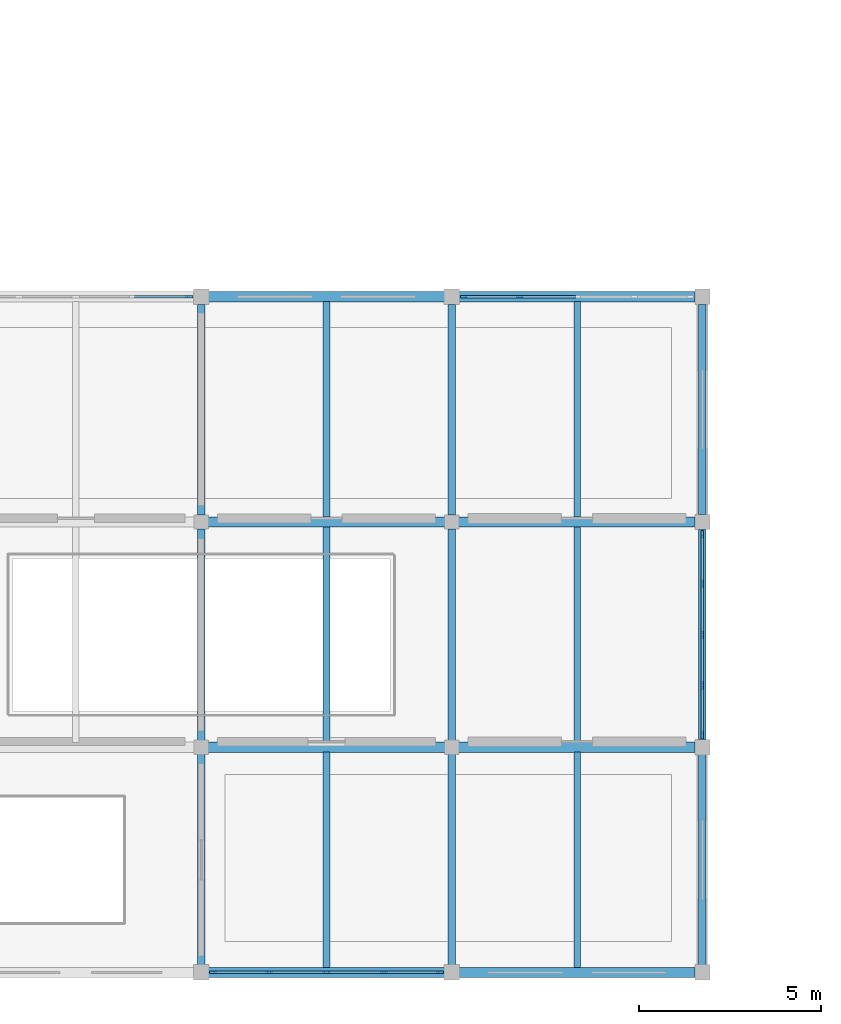
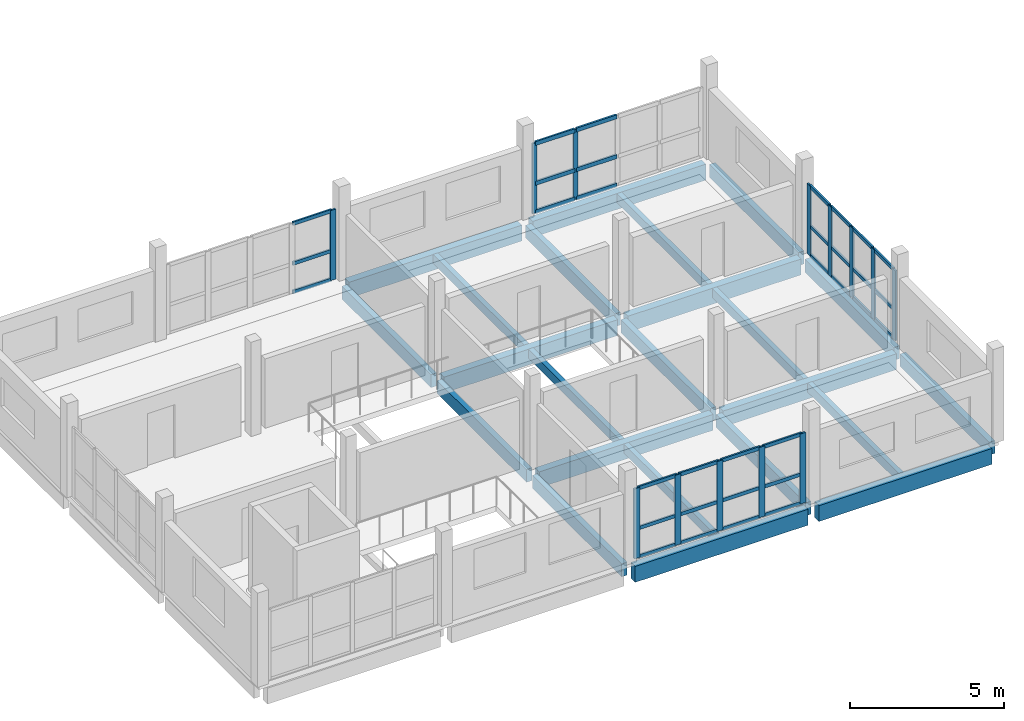
# One storey, part 38 of 77: 46 members, 23 beams, 4 elements without a shape of their own.
"""IFC4 building model written with IfcOpenShell, lengths in metres."""

from ifc_helpers import new_model, si_unit, direction, frame, origin, origin_2d, place, context, subcontext, project, spatial, rectangle, extrude, material, layer, layer_set, material_profile, profile_set, type_object, element, aggregate, save


model = new_model("IFC4")

# Units and contexts
model_context = context("Model", 3, precision=1e-05, world=origin(), true_north=direction((0.0, 1.0)))
body_context = subcontext(model_context, "Body", "Model", "MODEL_VIEW")
ifc_project = project(units=[si_unit("LENGTHUNIT", "METRE"), si_unit("AREAUNIT", "SQUARE_METRE"), si_unit("VOLUMEUNIT", "CUBIC_METRE"), si_unit("PLANEANGLEUNIT", "RADIAN"), si_unit("MASSUNIT", "GRAM", prefix="KILO")], contexts=[model_context])

# Site, building, storey
site_placement = place(None, origin())
site = spatial("IfcSite", under=ifc_project, at=site_placement, CompositionType="ELEMENT")
building_placement = place(site_placement, origin())
building = spatial("IfcBuilding", under=site, at=building_placement, Name="Caldaven Crescent School", CompositionType="ELEMENT")
storey_placement = place(building_placement, frame((0.0, 0.0, 4.419921875)))
storey = spatial("IfcBuildingStorey", under=building, at=storey_placement, Name="L01", CompositionType="ELEMENT", Elevation=4.419921875)

# Beams
ifc_material_1 = material(Name="Glulam MLE24h (GL28h)", Category="wood")
ifc_material_profile_1 = material_profile(ifc_material_1, rectangle(XDim=0.2099609375, YDim=0.510009765625, at=origin_2d()), Name="MLE 210x510")
ifc_profile_set_1 = profile_set([ifc_material_profile_1], Name="Glulam MLE24h (GL28h)")
beam_type_1 = type_object("IfcBeamType", Name="BM-GL51", PredefinedType="BEAM", material=ifc_profile_set_1)
beam_1_placement = place(storey_placement, frame((136.699951171875, 4.405029296875, -0.474853515625), z_axis=(0.0, 1.0, 0.0), x_axis=(-1.0, 0.0, 0.0)))
element("IfcBeam", 1, at=beam_1_placement, inside=storey, type_object=beam_type_1, Name="BMY-V3-L01-0485", PredefinedType="BEAM", context=body_context, shape_type="SweptSolid", body=[
    extrude(rectangle(XDim=0.2099609375, YDim=0.510009765625, at=origin_2d()), origin(), (0.0, 0.0, 1.0), 5.804931640625),
])
beam_2_placement = place(storey_placement, frame((136.699951171875, 10.590087890625, -0.474853515625), z_axis=(0.0, 1.0, 0.0), x_axis=(-1.0, 0.0, 0.0)))
element("IfcBeam", 2, at=beam_2_placement, inside=storey, type_object=beam_type_1, Name="BMY-V3-L01-0486", PredefinedType="BEAM", context=body_context, shape_type="SweptSolid", body=[
    extrude(rectangle(XDim=0.2099609375, YDim=0.510009765625, at=origin_2d()), origin(), (0.0, 0.0, 1.0), 5.81982421875),
])
for number, where, z_axis, x_axis, name in (
    (3, (136.699951171875, 16.7900390625, -0.474853515625), (0.0, 1.0, 0.0), (-1.0, 0.0, 0.0), "BMY-V3-L01-0487"),
    (4, (143.60009765625, 4.405029296875, -0.474853515625), (0.0, 1.0, 0.0), (-1.0, 0.0, 0.0), "BMY-V3-L01-0488"),
):
    element("IfcBeam", number, at=place(storey_placement, frame(where, z_axis=z_axis, x_axis=x_axis)), inside=storey, type_object=beam_type_1, Name=name, PredefinedType="BEAM", context=body_context, shape_type="SweptSolid", body=[
        extrude(rectangle(XDim=0.2099609375, YDim=0.510009765625, at=origin_2d()), origin(), (0.0, 0.0, 1.0), 5.804931640625),
    ])
beam_3_placement = place(storey_placement, frame((143.60009765625, 10.590087890625, -0.474853515625), z_axis=(0.0, 1.0, 0.0), x_axis=(-1.0, 0.0, 0.0)))
element("IfcBeam", 5, at=beam_3_placement, inside=storey, type_object=beam_type_1, Name="BMY-V3-L01-0489", PredefinedType="BEAM", context=body_context, shape_type="SweptSolid", body=[
    extrude(rectangle(XDim=0.2099609375, YDim=0.510009765625, at=origin_2d()), origin(), (0.0, 0.0, 1.0), 5.81982421875),
])
beam_4_placement = place(storey_placement, frame((143.60009765625, 16.7900390625, -0.474853515625), z_axis=(0.0, 1.0, 0.0), x_axis=(-1.0, 0.0, 0.0)))
element("IfcBeam", 6, at=beam_4_placement, inside=storey, type_object=beam_type_1, Name="BMY-V3-L01-0490", PredefinedType="BEAM", context=body_context, shape_type="SweptSolid", body=[
    extrude(rectangle(XDim=0.2099609375, YDim=0.510009765625, at=origin_2d()), origin(), (0.0, 0.0, 1.0), 5.804931640625),
])
for number, where, z_axis, x_axis, name in (
    (7, (150.5, 4.405029296875, -0.474853515625), (0.0, 1.0, 0.0), (-1.0, 0.0, 0.0), "BMY-V3-L01-0491"),
    (8, (150.5, 10.60498046875, -0.474853515625), (0.0, 1.0, 0.0), (-1.0, 0.0, 0.0), "BMY-V3-L01-0492"),
    (9, (150.5, 16.804931640625, -0.474853515625), (0.0, 1.0, 0.0), (-1.0, 0.0, 0.0), "BMY-V3-L01-0493"),
):
    element("IfcBeam", number, at=place(storey_placement, frame(where, z_axis=z_axis, x_axis=x_axis)), inside=storey, type_object=beam_type_1, Name=name, PredefinedType="BEAM", context=body_context, shape_type="SweptSolid", body=[
        extrude(rectangle(XDim=0.2099609375, YDim=0.510009765625, at=origin_2d()), origin(), (0.0, 0.0, 1.0), 5.7900390625),
    ])
ifc_material_profile_2 = material_profile(ifc_material_1, rectangle(XDim=0.280029296875, YDim=0.6298828125, at=origin_2d()), Name="MLE 280x630")
ifc_profile_set_2 = profile_set([ifc_material_profile_2], Name="Glulam MLE24h (GL28h)")
beam_type_2 = type_object("IfcBeamType", Name="BM-GL63", PredefinedType="BEAM", material=ifc_profile_set_2)
for number, where, z_axis, x_axis, name in (
    (10, (136.905029296875, 4.199951171875, -0.534912109375), (1.0, 0.0, 0.0), (0.0, 1.0, 0.0), "BMX-V3-L01-0465"),
    (11, (143.804931640625, 4.199951171875, -0.534912109375), (1.0, 0.0, 0.0), (0.0, 1.0, 0.0), "BMX-V3-L01-0466"),
):
    element("IfcBeam", number, at=place(storey_placement, frame(where, z_axis=z_axis, x_axis=x_axis)), inside=storey, type_object=beam_type_2, Name=name, PredefinedType="BEAM", context=body_context, shape_type="SweptSolid", body=[
        extrude(rectangle(XDim=0.280029296875, YDim=0.6298828125, at=origin_2d()), origin(), (0.0, 0.0, 1.0), 6.489990234375),
    ])
beam_5_placement = place(storey_placement, frame((136.889892578125, 10.39990234375, -0.534912109375), z_axis=(1.0, 0.0, 0.0), x_axis=(0.0, 1.0, 0.0)))
element("IfcBeam", 12, at=beam_5_placement, inside=storey, type_object=beam_type_2, Name="BMX-V3-L01-0469", PredefinedType="BEAM", context=body_context, shape_type="SweptSolid", body=[
    extrude(rectangle(XDim=0.280029296875, YDim=0.6298828125, at=origin_2d()), origin(), (0.0, 0.0, 1.0), 6.52001953125),
])
beam_6_placement = place(storey_placement, frame((143.7900390625, 10.39990234375, -0.534912109375), z_axis=(1.0, 0.0, 0.0), x_axis=(0.0, 1.0, 0.0)))
element("IfcBeam", 13, at=beam_6_placement, inside=storey, type_object=beam_type_2, Name="BMX-V3-L01-0470", PredefinedType="BEAM", context=body_context, shape_type="SweptSolid", body=[
    extrude(rectangle(XDim=0.280029296875, YDim=0.6298828125, at=origin_2d()), origin(), (0.0, 0.0, 1.0), 6.5048828125),
])
beam_7_placement = place(storey_placement, frame((136.889892578125, 16.60009765625, -0.534912109375), z_axis=(1.0, 0.0, 0.0), x_axis=(0.0, 1.0, 0.0)))
element("IfcBeam", 14, at=beam_7_placement, inside=storey, type_object=beam_type_2, Name="BMX-V3-L01-0473", PredefinedType="BEAM", context=body_context, shape_type="SweptSolid", body=[
    extrude(rectangle(XDim=0.280029296875, YDim=0.6298828125, at=origin_2d()), origin(), (0.0, 0.0, 1.0), 6.52001953125),
])
beam_8_placement = place(storey_placement, frame((143.7900390625, 16.60009765625, -0.534912109375), z_axis=(1.0, 0.0, 0.0), x_axis=(0.0, 1.0, 0.0)))
element("IfcBeam", 15, at=beam_8_placement, inside=storey, type_object=beam_type_2, Name="BMX-V3-L01-0474", PredefinedType="BEAM", context=body_context, shape_type="SweptSolid", body=[
    extrude(rectangle(XDim=0.280029296875, YDim=0.6298828125, at=origin_2d()), origin(), (0.0, 0.0, 1.0), 6.5048828125),
])
for number, where, z_axis, x_axis, name in (
    (16, (136.905029296875, 22.800048828125, -0.534912109375), (1.0, 0.0, 0.0), (0.0, 1.0, 0.0), "BMX-V3-L01-0477"),
    (17, (143.804931640625, 22.800048828125, -0.534912109375), (1.0, 0.0, 0.0), (0.0, 1.0, 0.0), "BMX-V3-L01-0478"),
):
    element("IfcBeam", number, at=place(storey_placement, frame(where, z_axis=z_axis, x_axis=x_axis)), inside=storey, type_object=beam_type_2, Name=name, PredefinedType="BEAM", context=body_context, shape_type="SweptSolid", body=[
        extrude(rectangle(XDim=0.280029296875, YDim=0.6298828125, at=origin_2d()), origin(), (0.0, 0.0, 1.0), 6.489990234375),
    ])

# Curtain wall, members
ifc_material_2 = material(Name="Anodised aluminium AA 6063-T6 and low-E double glazing", Category="aluminium")
ifc_layer_1 = layer(ifc_material_2, 0.169921875)
ifc_layer_set_1 = layer_set([ifc_layer_1], Name="Anodised aluminium AA 6063-T6 and low-E double glazing")
curtain_wall_type_1 = type_object("IfcCurtainWallType", Name="CW-SYS1", PredefinedType="NOTDEFINED", material=ifc_layer_set_1)
curtain_wall_1_placement = place(storey_placement, origin())
curtain_wall_1 = element("IfcCurtainWall", 18, at=curtain_wall_1_placement, inside=storey, type_object=curtain_wall_type_1, Name="CW-L01-087", PredefinedType="NOTDEFINED")
ifc_material_3 = material(Name="Anodised aluminium AA 6063-T6", Category="aluminium")
ifc_material_profile_3 = material_profile(ifc_material_3, rectangle(XDim=0.06494140625, YDim=0.179931640625, at=origin_2d()), Name="CWM 65x180")
ifc_profile_set_3 = profile_set([ifc_material_profile_3], Name="Anodised aluminium AA 6063-T6")
member_type_1 = type_object("IfcMemberType", Name="CWM-T2", PredefinedType="MULLION", material=ifc_profile_set_3)
member_1_placement = place(storey_placement, frame((143.9326171875, 22.800048828125, 0.0), z_axis=(0.0, 0.0, 1.0), x_axis=(0.0, 1.0, 0.0)))
member_1 = element("IfcMember", 19, at=member_1_placement, type_object=member_type_1, Name="CW1 mullion 1", PredefinedType="MULLION", context=body_context, shape_type="SweptSolid", body=[
    extrude(rectangle(XDim=0.06494140625, YDim=0.179931640625, at=origin_2d()), origin(), (0.0, 0.0, 1.0), 2.780029296875),
])
member_2_placement = place(storey_placement, frame((145.47509765625, 22.800048828125, 0.0), z_axis=(0.0, 0.0, 1.0), x_axis=(0.0, 1.0, 0.0)))
member_2 = element("IfcMember", 20, at=member_2_placement, type_object=member_type_1, Name="CW1 mullion 2", PredefinedType="MULLION", context=body_context, shape_type="SweptSolid", body=[
    extrude(rectangle(XDim=0.06494140625, YDim=0.179931640625, at=origin_2d()), origin(), (0.0, 0.0, 1.0), 2.780029296875),
])

ifc_layer_2 = layer(ifc_material_2, 0.2099609375)
ifc_layer_set_2 = layer_set([ifc_layer_2], Name="Anodised aluminium AA 6063-T6 and low-E double glazing")
curtain_wall_type_2 = type_object("IfcCurtainWallType", Name="CW-SYS3", PredefinedType="NOTDEFINED", material=ifc_layer_set_2)
curtain_wall_2_placement = place(storey_placement, origin())
curtain_wall_2 = element("IfcCurtainWall", 21, at=curtain_wall_2_placement, inside=storey, type_object=curtain_wall_type_2, Name="CW-L01-085", PredefinedType="NOTDEFINED")
ifc_material_profile_4 = material_profile(ifc_material_3, rectangle(XDim=0.070068359375, YDim=0.2099609375, at=origin_2d()), Name="CWM 70x210")
ifc_profile_set_4 = profile_set([ifc_material_profile_4], Name="Anodised aluminium AA 6063-T6")
member_type_2 = type_object("IfcMemberType", Name="CWM-T3", PredefinedType="MULLION", material=ifc_profile_set_4)
member_3_placement = place(storey_placement, frame((137.034912109375, 4.199951171875, 0.0), z_axis=(0.0, 0.0, 1.0), x_axis=(0.0, 1.0, 0.0)))
member_3 = element("IfcMember", 22, at=member_3_placement, type_object=member_type_2, Name="CW3 mullion 1", PredefinedType="MULLION", context=body_context, shape_type="SweptSolid", body=[
    extrude(rectangle(XDim=0.070068359375, YDim=0.2099609375, at=origin_2d()), origin(), (0.0, 0.0, 1.0), 2.780029296875),
])
member_4_placement = place(storey_placement, frame((138.574951171875, 4.199951171875, 0.0), z_axis=(0.0, 0.0, 1.0), x_axis=(0.0, 1.0, 0.0)))
member_4 = element("IfcMember", 23, at=member_4_placement, type_object=member_type_2, Name="CW3 mullion 2", PredefinedType="MULLION", context=body_context, shape_type="SweptSolid", body=[
    extrude(rectangle(XDim=0.070068359375, YDim=0.2099609375, at=origin_2d()), origin(), (0.0, 0.0, 1.0), 2.780029296875),
])
member_5_placement = place(storey_placement, frame((140.14990234375, 4.199951171875, 0.0), z_axis=(0.0, 0.0, 1.0), x_axis=(0.0, 1.0, 0.0)))
member_5 = element("IfcMember", 24, at=member_5_placement, type_object=member_type_2, Name="CW3 mullion 3", PredefinedType="MULLION", context=body_context, shape_type="SweptSolid", body=[
    extrude(rectangle(XDim=0.070068359375, YDim=0.2099609375, at=origin_2d()), origin(), (0.0, 0.0, 1.0), 2.780029296875),
])
member_6_placement = place(storey_placement, frame((141.72509765625, 4.199951171875, 0.0), z_axis=(0.0, 0.0, 1.0), x_axis=(0.0, 1.0, 0.0)))
member_6 = element("IfcMember", 25, at=member_6_placement, type_object=member_type_2, Name="CW3 mullion 4", PredefinedType="MULLION", context=body_context, shape_type="SweptSolid", body=[
    extrude(rectangle(XDim=0.070068359375, YDim=0.2099609375, at=origin_2d()), origin(), (0.0, 0.0, 1.0), 2.780029296875),
])
member_7_placement = place(storey_placement, frame((143.264892578125, 4.199951171875, 0.0), z_axis=(0.0, 0.0, 1.0), x_axis=(0.0, 1.0, 0.0)))
member_7 = element("IfcMember", 26, at=member_7_placement, type_object=member_type_2, Name="CW3 mullion 5", PredefinedType="MULLION", context=body_context, shape_type="SweptSolid", body=[
    extrude(rectangle(XDim=0.070068359375, YDim=0.2099609375, at=origin_2d()), origin(), (0.0, 0.0, 1.0), 2.780029296875),
])

# Curtain wall, member
curtain_wall_3_placement = place(storey_placement, origin())
curtain_wall_3 = element("IfcCurtainWall", 27, at=curtain_wall_3_placement, inside=storey, type_object=curtain_wall_type_2, Name="CW-L01-086", PredefinedType="NOTDEFINED")
member_8_placement = place(storey_placement, frame((136.364990234375, 22.800048828125, 0.0), z_axis=(0.0, 0.0, 1.0), x_axis=(0.0, 1.0, 0.0)))
member_8 = element("IfcMember", 28, at=member_8_placement, type_object=member_type_2, Name="CW3 mullion 5", PredefinedType="MULLION", context=body_context, shape_type="SweptSolid", body=[
    extrude(rectangle(XDim=0.070068359375, YDim=0.2099609375, at=origin_2d()), origin(), (0.0, 0.0, 1.0), 2.780029296875),
])

# Curtain wall, members
curtain_wall_4_placement = place(storey_placement, origin())
curtain_wall_4 = element("IfcCurtainWall", 29, at=curtain_wall_4_placement, inside=storey, type_object=curtain_wall_type_2, Name="CW-L01-089", PredefinedType="NOTDEFINED")
member_9_placement = place(storey_placement, frame((150.5, 10.735107421875, 0.0), z_axis=(0.0, 0.0, 1.0), x_axis=(-1.0, 0.0, 0.0)))
member_9 = element("IfcMember", 30, at=member_9_placement, type_object=member_type_2, Name="CW3 mullion 1", PredefinedType="MULLION", context=body_context, shape_type="SweptSolid", body=[
    extrude(rectangle(XDim=0.070068359375, YDim=0.2099609375, at=origin_2d()), origin(), (0.0, 0.0, 1.0), 2.780029296875),
])
member_10_placement = place(storey_placement, frame((150.5, 12.10009765625, 0.0), z_axis=(0.0, 0.0, 1.0), x_axis=(-1.0, 0.0, 0.0)))
member_10 = element("IfcMember", 31, at=member_10_placement, type_object=member_type_2, Name="CW3 mullion 2", PredefinedType="MULLION", context=body_context, shape_type="SweptSolid", body=[
    extrude(rectangle(XDim=0.070068359375, YDim=0.2099609375, at=origin_2d()), origin(), (0.0, 0.0, 1.0), 2.780029296875),
])
member_11_placement = place(storey_placement, frame((150.5, 13.5, 0.0), z_axis=(0.0, 0.0, 1.0), x_axis=(-1.0, 0.0, 0.0)))
member_11 = element("IfcMember", 32, at=member_11_placement, type_object=member_type_2, Name="CW3 mullion 3", PredefinedType="MULLION", context=body_context, shape_type="SweptSolid", body=[
    extrude(rectangle(XDim=0.070068359375, YDim=0.2099609375, at=origin_2d()), origin(), (0.0, 0.0, 1.0), 2.780029296875),
])
member_12_placement = place(storey_placement, frame((150.5, 14.89990234375, 0.0), z_axis=(0.0, 0.0, 1.0), x_axis=(-1.0, 0.0, 0.0)))
member_12 = element("IfcMember", 33, at=member_12_placement, type_object=member_type_2, Name="CW3 mullion 4", PredefinedType="MULLION", context=body_context, shape_type="SweptSolid", body=[
    extrude(rectangle(XDim=0.070068359375, YDim=0.2099609375, at=origin_2d()), origin(), (0.0, 0.0, 1.0), 2.780029296875),
])
member_13_placement = place(storey_placement, frame((150.5, 16.264892578125, 0.0), z_axis=(0.0, 0.0, 1.0), x_axis=(-1.0, 0.0, 0.0)))
member_13 = element("IfcMember", 34, at=member_13_placement, type_object=member_type_2, Name="CW3 mullion 5", PredefinedType="MULLION", context=body_context, shape_type="SweptSolid", body=[
    extrude(rectangle(XDim=0.070068359375, YDim=0.2099609375, at=origin_2d()), origin(), (0.0, 0.0, 1.0), 2.780029296875),
])

# Member
ifc_material_profile_5 = material_profile(ifc_material_3, rectangle(XDim=0.06494140625, YDim=0.139892578125, at=origin_2d()), Name="CWT 65x140")
ifc_profile_set_5 = profile_set([ifc_material_profile_5], Name="Anodised aluminium AA 6063-T6")
member_type_3 = type_object("IfcMemberType", Name="CWT-T2", PredefinedType="USERDEFINED", material=ifc_profile_set_5)
member_14_placement = place(storey_placement, frame((137.070068359375, 4.199951171875, 0.032470703125), z_axis=(1.0, 0.0, 0.0), x_axis=(0.0, 1.0, 0.0)))
member_14 = element("IfcMember", 35, at=member_14_placement, type_object=member_type_3, Name="CW3 transom 1.1", ObjectType="TRANSOM", PredefinedType="USERDEFINED", context=body_context, shape_type="SweptSolid", body=[
    extrude(rectangle(XDim=0.06494140625, YDim=0.139892578125, at=origin_2d()), origin(), (0.0, 0.0, 1.0), 1.469970703125),
])

member_15_placement = place(storey_placement, frame((137.070068359375, 4.199951171875, 1.16796875), z_axis=(1.0, 0.0, 0.0), x_axis=(0.0, 1.0, 0.0)))
member_15 = element("IfcMember", 36, at=member_15_placement, type_object=member_type_3, Name="CW3 transom 1.2", ObjectType="TRANSOM", PredefinedType="USERDEFINED", context=body_context, shape_type="SweptSolid", body=[
    extrude(rectangle(XDim=0.06494140625, YDim=0.139892578125, at=origin_2d()), origin(), (0.0, 0.0, 1.0), 1.469970703125),
])

member_16_placement = place(storey_placement, frame((137.070068359375, 4.199951171875, 2.74755859375), z_axis=(1.0, 0.0, 0.0), x_axis=(0.0, 1.0, 0.0)))
member_16 = element("IfcMember", 37, at=member_16_placement, type_object=member_type_3, Name="CW3 transom 1.3", ObjectType="TRANSOM", PredefinedType="USERDEFINED", context=body_context, shape_type="SweptSolid", body=[
    extrude(rectangle(XDim=0.06494140625, YDim=0.139892578125, at=origin_2d()), origin(), (0.0, 0.0, 1.0), 1.469970703125),
])

member_17_placement = place(storey_placement, frame((138.610107421875, 4.199951171875, 0.032470703125), z_axis=(1.0, 0.0, 0.0), x_axis=(0.0, 1.0, 0.0)))
member_17 = element("IfcMember", 38, at=member_17_placement, type_object=member_type_3, Name="CW3 transom 2.1", ObjectType="TRANSOM", PredefinedType="USERDEFINED", context=body_context, shape_type="SweptSolid", body=[
    extrude(rectangle(XDim=0.06494140625, YDim=0.139892578125, at=origin_2d()), origin(), (0.0, 0.0, 1.0), 1.5048828125),
])

member_18_placement = place(storey_placement, frame((138.610107421875, 4.199951171875, 1.16796875), z_axis=(1.0, 0.0, 0.0), x_axis=(0.0, 1.0, 0.0)))
member_18 = element("IfcMember", 39, at=member_18_placement, type_object=member_type_3, Name="CW3 transom 2.2", ObjectType="TRANSOM", PredefinedType="USERDEFINED", context=body_context, shape_type="SweptSolid", body=[
    extrude(rectangle(XDim=0.06494140625, YDim=0.139892578125, at=origin_2d()), origin(), (0.0, 0.0, 1.0), 1.5048828125),
])

member_19_placement = place(storey_placement, frame((138.610107421875, 4.199951171875, 2.74755859375), z_axis=(1.0, 0.0, 0.0), x_axis=(0.0, 1.0, 0.0)))
member_19 = element("IfcMember", 40, at=member_19_placement, type_object=member_type_3, Name="CW3 transom 2.3", ObjectType="TRANSOM", PredefinedType="USERDEFINED", context=body_context, shape_type="SweptSolid", body=[
    extrude(rectangle(XDim=0.06494140625, YDim=0.139892578125, at=origin_2d()), origin(), (0.0, 0.0, 1.0), 1.5048828125),
])

member_20_placement = place(storey_placement, frame((140.18505859375, 4.199951171875, 0.032470703125), z_axis=(1.0, 0.0, 0.0), x_axis=(0.0, 1.0, 0.0)))
member_20 = element("IfcMember", 41, at=member_20_placement, type_object=member_type_3, Name="CW3 transom 3.1", ObjectType="TRANSOM", PredefinedType="USERDEFINED", context=body_context, shape_type="SweptSolid", body=[
    extrude(rectangle(XDim=0.06494140625, YDim=0.139892578125, at=origin_2d()), origin(), (0.0, 0.0, 1.0), 1.5048828125),
])

member_21_placement = place(storey_placement, frame((140.18505859375, 4.199951171875, 1.16796875), z_axis=(1.0, 0.0, 0.0), x_axis=(0.0, 1.0, 0.0)))
member_21 = element("IfcMember", 42, at=member_21_placement, type_object=member_type_3, Name="CW3 transom 3.2", ObjectType="TRANSOM", PredefinedType="USERDEFINED", context=body_context, shape_type="SweptSolid", body=[
    extrude(rectangle(XDim=0.06494140625, YDim=0.139892578125, at=origin_2d()), origin(), (0.0, 0.0, 1.0), 1.5048828125),
])

member_22_placement = place(storey_placement, frame((140.18505859375, 4.199951171875, 2.74755859375), z_axis=(1.0, 0.0, 0.0), x_axis=(0.0, 1.0, 0.0)))
member_22 = element("IfcMember", 43, at=member_22_placement, type_object=member_type_3, Name="CW3 transom 3.3", ObjectType="TRANSOM", PredefinedType="USERDEFINED", context=body_context, shape_type="SweptSolid", body=[
    extrude(rectangle(XDim=0.06494140625, YDim=0.139892578125, at=origin_2d()), origin(), (0.0, 0.0, 1.0), 1.5048828125),
])

member_23_placement = place(storey_placement, frame((141.760009765625, 4.199951171875, 0.032470703125), z_axis=(1.0, 0.0, 0.0), x_axis=(0.0, 1.0, 0.0)))
member_23 = element("IfcMember", 44, at=member_23_placement, type_object=member_type_3, Name="CW3 transom 4.1", ObjectType="TRANSOM", PredefinedType="USERDEFINED", context=body_context, shape_type="SweptSolid", body=[
    extrude(rectangle(XDim=0.06494140625, YDim=0.139892578125, at=origin_2d()), origin(), (0.0, 0.0, 1.0), 1.469970703125),
])

member_24_placement = place(storey_placement, frame((141.760009765625, 4.199951171875, 1.16796875), z_axis=(1.0, 0.0, 0.0), x_axis=(0.0, 1.0, 0.0)))
member_24 = element("IfcMember", 45, at=member_24_placement, type_object=member_type_3, Name="CW3 transom 4.2", ObjectType="TRANSOM", PredefinedType="USERDEFINED", context=body_context, shape_type="SweptSolid", body=[
    extrude(rectangle(XDim=0.06494140625, YDim=0.139892578125, at=origin_2d()), origin(), (0.0, 0.0, 1.0), 1.469970703125),
])

member_25_placement = place(storey_placement, frame((141.760009765625, 4.199951171875, 2.74755859375), z_axis=(1.0, 0.0, 0.0), x_axis=(0.0, 1.0, 0.0)))
member_25 = element("IfcMember", 46, at=member_25_placement, type_object=member_type_3, Name="CW3 transom 4.3", ObjectType="TRANSOM", PredefinedType="USERDEFINED", context=body_context, shape_type="SweptSolid", body=[
    extrude(rectangle(XDim=0.06494140625, YDim=0.139892578125, at=origin_2d()), origin(), (0.0, 0.0, 1.0), 1.469970703125),
])

aggregate(curtain_wall_2, [member_3, member_4, member_5, member_6, member_7, member_14, member_15, member_16, member_17, member_18, member_19, member_20, member_21, member_22, member_23, member_24, member_25])

member_26_placement = place(storey_placement, frame((134.860107421875, 22.800048828125, 0.032470703125), z_axis=(1.0, 0.0, 0.0), x_axis=(0.0, 1.0, 0.0)))
member_26 = element("IfcMember", 47, at=member_26_placement, type_object=member_type_3, Name="CW3 transom 4.1", ObjectType="TRANSOM", PredefinedType="USERDEFINED", context=body_context, shape_type="SweptSolid", body=[
    extrude(rectangle(XDim=0.06494140625, YDim=0.139892578125, at=origin_2d()), origin(), (0.0, 0.0, 1.0), 1.469970703125),
])

member_27_placement = place(storey_placement, frame((134.860107421875, 22.800048828125, 1.16796875), z_axis=(1.0, 0.0, 0.0), x_axis=(0.0, 1.0, 0.0)))
member_27 = element("IfcMember", 48, at=member_27_placement, type_object=member_type_3, Name="CW3 transom 4.2", ObjectType="TRANSOM", PredefinedType="USERDEFINED", context=body_context, shape_type="SweptSolid", body=[
    extrude(rectangle(XDim=0.06494140625, YDim=0.139892578125, at=origin_2d()), origin(), (0.0, 0.0, 1.0), 1.469970703125),
])

member_28_placement = place(storey_placement, frame((134.860107421875, 22.800048828125, 2.74755859375), z_axis=(1.0, 0.0, 0.0), x_axis=(0.0, 1.0, 0.0)))
member_28 = element("IfcMember", 49, at=member_28_placement, type_object=member_type_3, Name="CW3 transom 4.3", ObjectType="TRANSOM", PredefinedType="USERDEFINED", context=body_context, shape_type="SweptSolid", body=[
    extrude(rectangle(XDim=0.06494140625, YDim=0.139892578125, at=origin_2d()), origin(), (0.0, 0.0, 1.0), 1.469970703125),
])

aggregate(curtain_wall_3, [member_8, member_26, member_27, member_28])

member_29_placement = place(storey_placement, frame((150.5, 10.77001953125, 0.032470703125), z_axis=(0.0, 1.0, 0.0), x_axis=(-1.0, 0.0, 0.0)))
member_29 = element("IfcMember", 50, at=member_29_placement, type_object=member_type_3, Name="CW3 transom 1.1", ObjectType="TRANSOM", PredefinedType="USERDEFINED", context=body_context, shape_type="SweptSolid", body=[
    extrude(rectangle(XDim=0.06494140625, YDim=0.139892578125, at=origin_2d()), origin(), (0.0, 0.0, 1.0), 1.294921875),
])

member_30_placement = place(storey_placement, frame((150.5, 10.77001953125, 1.16796875), z_axis=(0.0, 1.0, 0.0), x_axis=(-1.0, 0.0, 0.0)))
member_30 = element("IfcMember", 51, at=member_30_placement, type_object=member_type_3, Name="CW3 transom 1.2", ObjectType="TRANSOM", PredefinedType="USERDEFINED", context=body_context, shape_type="SweptSolid", body=[
    extrude(rectangle(XDim=0.06494140625, YDim=0.139892578125, at=origin_2d()), origin(), (0.0, 0.0, 1.0), 1.294921875),
])

member_31_placement = place(storey_placement, frame((150.5, 10.77001953125, 2.74755859375), z_axis=(0.0, 1.0, 0.0), x_axis=(-1.0, 0.0, 0.0)))
member_31 = element("IfcMember", 52, at=member_31_placement, type_object=member_type_3, Name="CW3 transom 1.3", ObjectType="TRANSOM", PredefinedType="USERDEFINED", context=body_context, shape_type="SweptSolid", body=[
    extrude(rectangle(XDim=0.06494140625, YDim=0.139892578125, at=origin_2d()), origin(), (0.0, 0.0, 1.0), 1.294921875),
])

member_32_placement = place(storey_placement, frame((150.5, 12.135009765625, 0.032470703125), z_axis=(0.0, 1.0, 0.0), x_axis=(-1.0, 0.0, 0.0)))
member_32 = element("IfcMember", 53, at=member_32_placement, type_object=member_type_3, Name="CW3 transom 2.1", ObjectType="TRANSOM", PredefinedType="USERDEFINED", context=body_context, shape_type="SweptSolid", body=[
    extrude(rectangle(XDim=0.06494140625, YDim=0.139892578125, at=origin_2d()), origin(), (0.0, 0.0, 1.0), 1.330078125),
])

member_33_placement = place(storey_placement, frame((150.5, 12.135009765625, 1.16796875), z_axis=(0.0, 1.0, 0.0), x_axis=(-1.0, 0.0, 0.0)))
member_33 = element("IfcMember", 54, at=member_33_placement, type_object=member_type_3, Name="CW3 transom 2.2", ObjectType="TRANSOM", PredefinedType="USERDEFINED", context=body_context, shape_type="SweptSolid", body=[
    extrude(rectangle(XDim=0.06494140625, YDim=0.139892578125, at=origin_2d()), origin(), (0.0, 0.0, 1.0), 1.330078125),
])

member_34_placement = place(storey_placement, frame((150.5, 12.135009765625, 2.74755859375), z_axis=(0.0, 1.0, 0.0), x_axis=(-1.0, 0.0, 0.0)))
member_34 = element("IfcMember", 55, at=member_34_placement, type_object=member_type_3, Name="CW3 transom 2.3", ObjectType="TRANSOM", PredefinedType="USERDEFINED", context=body_context, shape_type="SweptSolid", body=[
    extrude(rectangle(XDim=0.06494140625, YDim=0.139892578125, at=origin_2d()), origin(), (0.0, 0.0, 1.0), 1.330078125),
])

member_35_placement = place(storey_placement, frame((150.5, 13.534912109375, 0.032470703125), z_axis=(0.0, 1.0, 0.0), x_axis=(-1.0, 0.0, 0.0)))
member_35 = element("IfcMember", 56, at=member_35_placement, type_object=member_type_3, Name="CW3 transom 3.1", ObjectType="TRANSOM", PredefinedType="USERDEFINED", context=body_context, shape_type="SweptSolid", body=[
    extrude(rectangle(XDim=0.06494140625, YDim=0.139892578125, at=origin_2d()), origin(), (0.0, 0.0, 1.0), 1.330078125),
])

member_36_placement = place(storey_placement, frame((150.5, 13.534912109375, 1.16796875), z_axis=(0.0, 1.0, 0.0), x_axis=(-1.0, 0.0, 0.0)))
member_36 = element("IfcMember", 57, at=member_36_placement, type_object=member_type_3, Name="CW3 transom 3.2", ObjectType="TRANSOM", PredefinedType="USERDEFINED", context=body_context, shape_type="SweptSolid", body=[
    extrude(rectangle(XDim=0.06494140625, YDim=0.139892578125, at=origin_2d()), origin(), (0.0, 0.0, 1.0), 1.330078125),
])

member_37_placement = place(storey_placement, frame((150.5, 13.534912109375, 2.74755859375), z_axis=(0.0, 1.0, 0.0), x_axis=(-1.0, 0.0, 0.0)))
member_37 = element("IfcMember", 58, at=member_37_placement, type_object=member_type_3, Name="CW3 transom 3.3", ObjectType="TRANSOM", PredefinedType="USERDEFINED", context=body_context, shape_type="SweptSolid", body=[
    extrude(rectangle(XDim=0.06494140625, YDim=0.139892578125, at=origin_2d()), origin(), (0.0, 0.0, 1.0), 1.330078125),
])

member_38_placement = place(storey_placement, frame((150.5, 14.93505859375, 0.032470703125), z_axis=(0.0, 1.0, 0.0), x_axis=(-1.0, 0.0, 0.0)))
member_38 = element("IfcMember", 59, at=member_38_placement, type_object=member_type_3, Name="CW3 transom 4.1", ObjectType="TRANSOM", PredefinedType="USERDEFINED", context=body_context, shape_type="SweptSolid", body=[
    extrude(rectangle(XDim=0.06494140625, YDim=0.139892578125, at=origin_2d()), origin(), (0.0, 0.0, 1.0), 1.294921875),
])

member_39_placement = place(storey_placement, frame((150.5, 14.93505859375, 1.16796875), z_axis=(0.0, 1.0, 0.0), x_axis=(-1.0, 0.0, 0.0)))
member_39 = element("IfcMember", 60, at=member_39_placement, type_object=member_type_3, Name="CW3 transom 4.2", ObjectType="TRANSOM", PredefinedType="USERDEFINED", context=body_context, shape_type="SweptSolid", body=[
    extrude(rectangle(XDim=0.06494140625, YDim=0.139892578125, at=origin_2d()), origin(), (0.0, 0.0, 1.0), 1.294921875),
])

member_40_placement = place(storey_placement, frame((150.5, 14.93505859375, 2.74755859375), z_axis=(0.0, 1.0, 0.0), x_axis=(-1.0, 0.0, 0.0)))
member_40 = element("IfcMember", 61, at=member_40_placement, type_object=member_type_3, Name="CW3 transom 4.3", ObjectType="TRANSOM", PredefinedType="USERDEFINED", context=body_context, shape_type="SweptSolid", body=[
    extrude(rectangle(XDim=0.06494140625, YDim=0.139892578125, at=origin_2d()), origin(), (0.0, 0.0, 1.0), 1.294921875),
])

aggregate(curtain_wall_4, [member_9, member_10, member_11, member_12, member_13, member_29, member_30, member_31, member_32, member_33, member_34, member_35, member_36, member_37, member_38, member_39, member_40])

ifc_material_profile_6 = material_profile(ifc_material_3, rectangle(XDim=0.070068359375, YDim=0.159912109375, at=origin_2d()), Name="CWT 70x160")
ifc_profile_set_6 = profile_set([ifc_material_profile_6], Name="Anodised aluminium AA 6063-T6")
member_type_4 = type_object("IfcMemberType", Name="CWT-T3", PredefinedType="USERDEFINED", material=ifc_profile_set_6)
member_41_placement = place(storey_placement, frame((143.965087890625, 22.800048828125, 0.03515625), z_axis=(1.0, 0.0, 0.0), x_axis=(0.0, 1.0, 0.0)))
member_41 = element("IfcMember", 62, at=member_41_placement, type_object=member_type_4, Name="CW1 transom 1.1", ObjectType="TRANSOM", PredefinedType="USERDEFINED", context=body_context, shape_type="SweptSolid", body=[
    extrude(rectangle(XDim=0.070068359375, YDim=0.159912109375, at=origin_2d()), origin(), (0.0, 0.0, 1.0), 1.477294921875),
])

member_42_placement = place(storey_placement, frame((143.965087890625, 22.800048828125, 1.16796875), z_axis=(1.0, 0.0, 0.0), x_axis=(0.0, 1.0, 0.0)))
member_42 = element("IfcMember", 63, at=member_42_placement, type_object=member_type_4, Name="CW1 transom 1.2", ObjectType="TRANSOM", PredefinedType="USERDEFINED", context=body_context, shape_type="SweptSolid", body=[
    extrude(rectangle(XDim=0.070068359375, YDim=0.159912109375, at=origin_2d()), origin(), (0.0, 0.0, 1.0), 1.477294921875),
])

member_43_placement = place(storey_placement, frame((143.965087890625, 22.800048828125, 2.7451171875), z_axis=(1.0, 0.0, 0.0), x_axis=(0.0, 1.0, 0.0)))
member_43 = element("IfcMember", 64, at=member_43_placement, type_object=member_type_4, Name="CW1 transom 1.3", ObjectType="TRANSOM", PredefinedType="USERDEFINED", context=body_context, shape_type="SweptSolid", body=[
    extrude(rectangle(XDim=0.070068359375, YDim=0.159912109375, at=origin_2d()), origin(), (0.0, 0.0, 1.0), 1.477294921875),
])

member_44_placement = place(storey_placement, frame((145.507568359375, 22.800048828125, 0.03515625), z_axis=(1.0, 0.0, 0.0), x_axis=(0.0, 1.0, 0.0)))
member_44 = element("IfcMember", 65, at=member_44_placement, type_object=member_type_4, Name="CW1 transom 2.1", ObjectType="TRANSOM", PredefinedType="USERDEFINED", context=body_context, shape_type="SweptSolid", body=[
    extrude(rectangle(XDim=0.070068359375, YDim=0.159912109375, at=origin_2d()), origin(), (0.0, 0.0, 1.0), 1.510009765625),
])

member_45_placement = place(storey_placement, frame((145.507568359375, 22.800048828125, 1.16796875), z_axis=(1.0, 0.0, 0.0), x_axis=(0.0, 1.0, 0.0)))
member_45 = element("IfcMember", 66, at=member_45_placement, type_object=member_type_4, Name="CW1 transom 2.2", ObjectType="TRANSOM", PredefinedType="USERDEFINED", context=body_context, shape_type="SweptSolid", body=[
    extrude(rectangle(XDim=0.070068359375, YDim=0.159912109375, at=origin_2d()), origin(), (0.0, 0.0, 1.0), 1.510009765625),
])

member_46_placement = place(storey_placement, frame((145.507568359375, 22.800048828125, 2.7451171875), z_axis=(1.0, 0.0, 0.0), x_axis=(0.0, 1.0, 0.0)))
member_46 = element("IfcMember", 67, at=member_46_placement, type_object=member_type_4, Name="CW1 transom 2.3", ObjectType="TRANSOM", PredefinedType="USERDEFINED", context=body_context, shape_type="SweptSolid", body=[
    extrude(rectangle(XDim=0.070068359375, YDim=0.159912109375, at=origin_2d()), origin(), (0.0, 0.0, 1.0), 1.510009765625),
])

aggregate(curtain_wall_1, [member_1, member_2, member_41, member_42, member_43, member_44, member_45, member_46])

# Beams
ifc_material_profile_7 = material_profile(ifc_material_1, rectangle(XDim=0.179931640625, YDim=0.360107421875, at=origin_2d()), Name="MLE 180x360")
ifc_profile_set_7 = profile_set([ifc_material_profile_7], Name="Glulam MLE24h (GL28h)")
beam_type_3 = type_object("IfcBeamType", Name="JS-GL36", PredefinedType="JOIST", material=ifc_profile_set_7)
beam_9_placement = place(storey_placement, frame((140.14990234375, 4.3349609375, -0.39990234375), z_axis=(0.0, 1.0, 0.0), x_axis=(-1.0, 0.0, 0.0)))
element("IfcBeam", 68, at=beam_9_placement, inside=storey, type_object=beam_type_3, Name="JS-V3-L01-0498", PredefinedType="JOIST", context=body_context, shape_type="SweptSolid", body=[
    extrude(rectangle(XDim=0.179931640625, YDim=0.360107421875, at=origin_2d()), origin(), (0.0, 0.0, 1.0), 5.929931640625),
])
beam_10_placement = place(storey_placement, frame((140.14990234375, 10.534912109375, -0.39990234375), z_axis=(0.0, 1.0, 0.0), x_axis=(-1.0, 0.0, 0.0)))
element("IfcBeam", 69, at=beam_10_placement, inside=storey, type_object=beam_type_3, Name="JS-V3-L01-0499", PredefinedType="JOIST", context=body_context, shape_type="SweptSolid", body=[
    extrude(rectangle(XDim=0.179931640625, YDim=0.360107421875, at=origin_2d()), origin(), (0.0, 0.0, 1.0), 5.93017578125),
])
for number, where, z_axis, x_axis, name in (
    (70, (140.14990234375, 16.735107421875, -0.39990234375), (0.0, 1.0, 0.0), (-1.0, 0.0, 0.0), "JS-V3-L01-0500"),
    (71, (147.050048828125, 4.3349609375, -0.39990234375), (0.0, 1.0, 0.0), (-1.0, 0.0, 0.0), "JS-V3-L01-0501"),
):
    element("IfcBeam", number, at=place(storey_placement, frame(where, z_axis=z_axis, x_axis=x_axis)), inside=storey, type_object=beam_type_3, Name=name, PredefinedType="JOIST", context=body_context, shape_type="SweptSolid", body=[
        extrude(rectangle(XDim=0.179931640625, YDim=0.360107421875, at=origin_2d()), origin(), (0.0, 0.0, 1.0), 5.929931640625),
    ])
beam_11_placement = place(storey_placement, frame((147.050048828125, 10.534912109375, -0.39990234375), z_axis=(0.0, 1.0, 0.0), x_axis=(-1.0, 0.0, 0.0)))
element("IfcBeam", 72, at=beam_11_placement, inside=storey, type_object=beam_type_3, Name="JS-V3-L01-0502", PredefinedType="JOIST", context=body_context, shape_type="SweptSolid", body=[
    extrude(rectangle(XDim=0.179931640625, YDim=0.360107421875, at=origin_2d()), origin(), (0.0, 0.0, 1.0), 5.93017578125),
])
beam_12_placement = place(storey_placement, frame((147.050048828125, 16.735107421875, -0.39990234375), z_axis=(0.0, 1.0, 0.0), x_axis=(-1.0, 0.0, 0.0)))
element("IfcBeam", 73, at=beam_12_placement, inside=storey, type_object=beam_type_3, Name="JS-V3-L01-0503", PredefinedType="JOIST", context=body_context, shape_type="SweptSolid", body=[
    extrude(rectangle(XDim=0.179931640625, YDim=0.360107421875, at=origin_2d()), origin(), (0.0, 0.0, 1.0), 5.929931640625),
])

save(model, "model.ifc")
